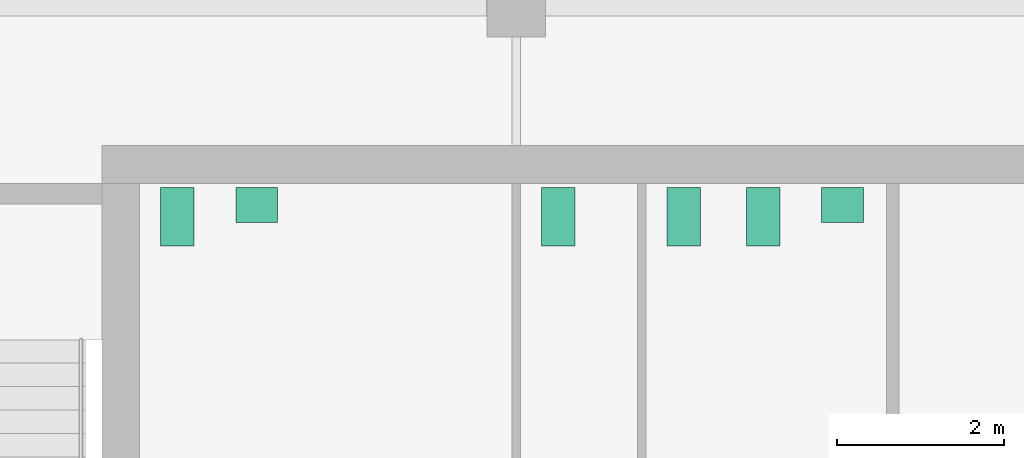
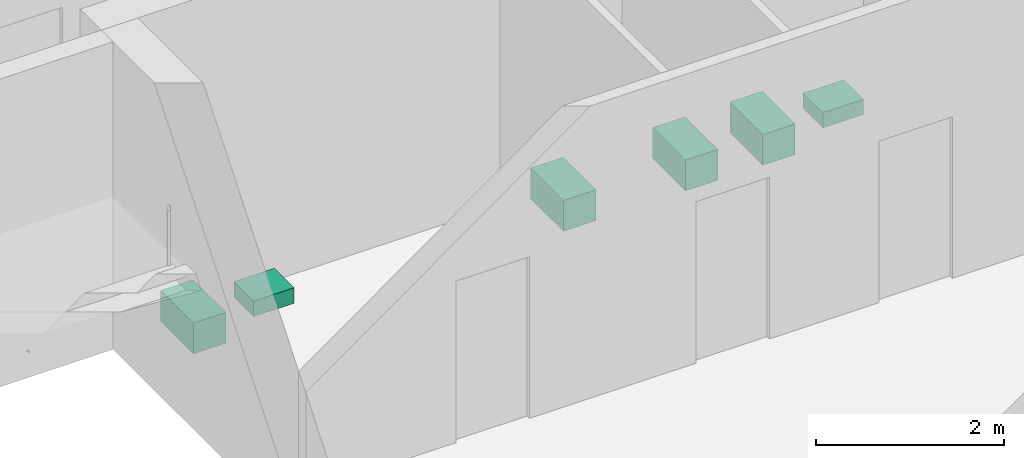
# One storey, part 7 of 7: 6 sanitary terminals.
"""IFC4 building model written with IfcOpenShell, lengths in metres."""

from ifc_helpers import new_model, si_unit, direction, frame, origin, origin_2d, place, context, subcontext, project, spatial, rectangle, extrude, material, type_object, element, save


model = new_model("IFC4")

# Units and contexts
model_context = context("Model", 3, precision=1e-05, world=origin(), true_north=direction((0.0, 1.0)))
body_context = subcontext(model_context, "Body", "Model", "MODEL_VIEW")
ifc_project = project(units=[si_unit("LENGTHUNIT", "METRE"), si_unit("AREAUNIT", "SQUARE_METRE"), si_unit("VOLUMEUNIT", "CUBIC_METRE"), si_unit("PLANEANGLEUNIT", "RADIAN"), si_unit("MASSUNIT", "GRAM", prefix="KILO")], contexts=[model_context])

# Site, building, storey
site_placement = place(None, origin())
site = spatial("IfcSite", under=ifc_project, at=site_placement, CompositionType="ELEMENT")
building_placement = place(site_placement, origin())
building = spatial("IfcBuilding", under=site, at=building_placement, Name="Cinnabar Reach Civic Tower", CompositionType="ELEMENT")
storey_placement = place(building_placement, frame((0.0, 0.0, 279.0)))
storey = spatial("IfcBuildingStorey", under=building, at=storey_placement, Name="L67", CompositionType="ELEMENT", Elevation=279.0)

# Sanitary terminals
ifc_material = material(Name="Vitreous china")
sanitary_terminal_type_1 = type_object("IfcSanitaryTerminalType", Name="T1 WC pan", PredefinedType="TOILETPAN", material=ifc_material)
for number, where, z_axis, x_axis, name in (
    (1, (4.95, 41.6, 0.0), (0.0, 0.0, 1.0), (1.0, 0.0, 0.0), "T1 WC pan 6709-1"),
    (2, (9.5, 41.6, 0.0), (0.0, 0.0, 1.0), (1.0, 0.0, 0.0), "T1 WC pan 6710-1"),
    (3, (11.0, 41.6, 0.0), (0.0, 0.0, 1.0), (1.0, 0.0, 0.0), "T1 WC pan 6711-1"),
    (4, (11.95, 41.6, 0.0), (0.0, 0.0, 1.0), (1.0, 0.0, 0.0), "T1 WC pan 6711-2"),
):
    element("IfcSanitaryTerminal", number, at=place(storey_placement, frame(where, z_axis=z_axis, x_axis=x_axis)), inside=storey, type_object=sanitary_terminal_type_1, Name=name, PredefinedType="TOILETPAN", context=body_context, shape_type="SweptSolid", body=[
        extrude(rectangle(XDim=0.4, YDim=0.7, at=origin_2d()), origin(), (0.0, 0.0, 1.0), 0.4),
    ])
sanitary_terminal_type_2 = type_object("IfcSanitaryTerminalType", Name="T1 wash basin", PredefinedType="WASHHANDBASIN", material=ifc_material)
for number, where, z_axis, x_axis, name in (
    (5, (5.9, 41.74, 0.0), (0.0, 0.0, 1.0), (1.0, 0.0, 0.0), "T1 wash basin 6709-2"),
    (6, (12.9, 41.74, 0.0), (0.0, 0.0, 1.0), (1.0, 0.0, 0.0), "T1 wash basin 6711-3"),
):
    element("IfcSanitaryTerminal", number, at=place(storey_placement, frame(where, z_axis=z_axis, x_axis=x_axis)), inside=storey, type_object=sanitary_terminal_type_2, Name=name, PredefinedType="WASHHANDBASIN", context=body_context, shape_type="SweptSolid", body=[
        extrude(rectangle(XDim=0.5, YDim=0.42, at=origin_2d()), origin(), (0.0, 0.0, 1.0), 0.2),
    ])

save(model, "model.ifc")
